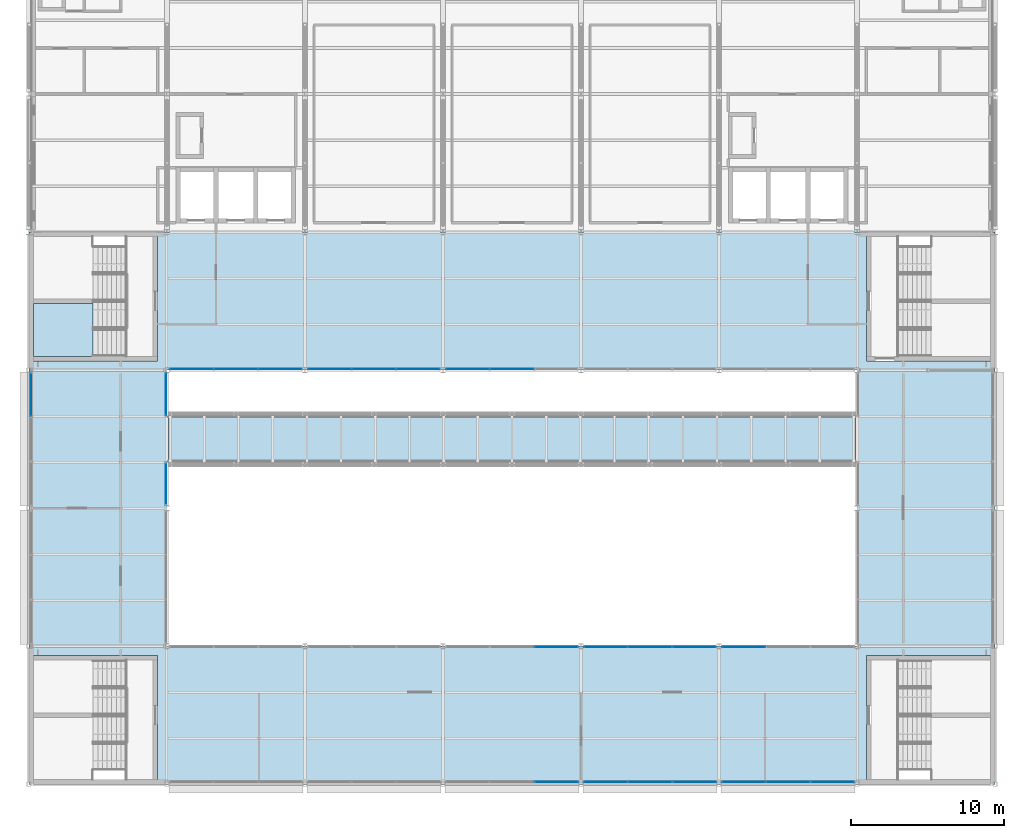
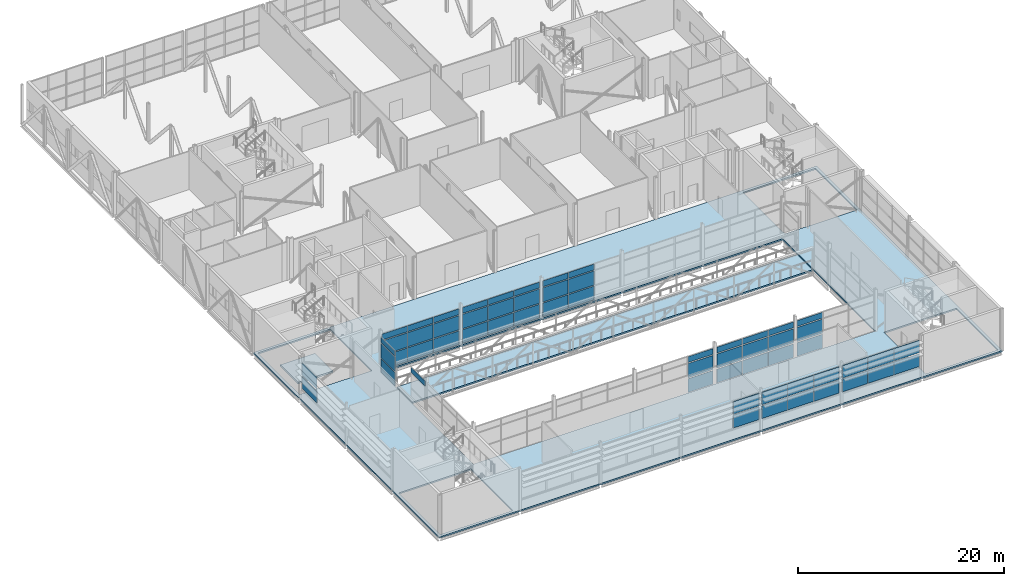
# One storey, part 72 of 94: 59 plates, 3 slabs, 13 elements without a shape of their own.
"""IFC4 building model written with IfcOpenShell, lengths in metres."""

from ifc_helpers import new_model, si_unit, direction, frame, origin, origin_2d, place, context, subcontext, project, spatial, polyline, rectangle, outline, extrude, material, layer, layer_set, type_object, element, aggregate, save


model = new_model("IFC4")

# Units and contexts
model_context = context("Model", 3, precision=1e-05, world=origin(), true_north=direction((0.0, 1.0)))
body_context = subcontext(model_context, "Body", "Model", "MODEL_VIEW")
ifc_project = project(units=[si_unit("LENGTHUNIT", "METRE"), si_unit("AREAUNIT", "SQUARE_METRE"), si_unit("VOLUMEUNIT", "CUBIC_METRE"), si_unit("PLANEANGLEUNIT", "RADIAN"), si_unit("MASSUNIT", "GRAM", prefix="KILO")], contexts=[model_context])

# Site, building, storey
site_placement = place(None, origin())
site = spatial("IfcSite", under=ifc_project, at=site_placement, CompositionType="ELEMENT")
building_placement = place(site_placement, origin())
building = spatial("IfcBuilding", under=site, at=building_placement, Name="Shorebreak Coast Museum", CompositionType="ELEMENT")
storey_placement = place(building_placement, frame((0.0, 0.0, 31.0)))
storey = spatial("IfcBuildingStorey", under=building, at=storey_placement, Name="L05", CompositionType="ELEMENT", Elevation=31.0)

# Slab
ifc_material_1 = material(Name="Concrete N40 (40 MPa)", Category="concrete")
ifc_layer_1 = layer(ifc_material_1, 0.175048828125)
ifc_layer_set_1 = layer_set([ifc_layer_1], Name="Concrete N40 (40 MPa)")
slab_type_1 = type_object("IfcSlabType", Name="Bridge deck 175 concrete N40", PredefinedType="USERDEFINED", material=ifc_layer_set_1)
slab_1_placement = place(storey_placement, frame((0.0, 0.0, -0.175048828125)))
element("IfcSlab", 1, at=slab_1_placement, inside=storey, type_object=slab_type_1, Name="Atrium bridge deck BR3", ObjectType="BRIDGE DECK", PredefinedType="USERDEFINED", context=body_context, shape_type="SweptSolid", body=[
    extrude(outline(polyline([(63.114501953125, 75.0), (107.885498046875, 75.0), (107.885498046875, 78.0), (63.114501953125, 78.0), (63.114501953125, 75.0)])), origin(), (0.0, 0.0, 1.0), 0.175048828125),
])

# Curtain wall, plates
ifc_material_2 = material(Name="Aluminium", Category="aluminium")
ifc_layer_2 = layer(ifc_material_2, 0.1201171875)
ifc_layer_set_2 = layer_set([ifc_layer_2], Name="Aluminium")
curtain_wall_type_1 = type_object("IfcCurtainWallType", Name="Atrium fire screen", PredefinedType="NOTDEFINED", material=ifc_layer_set_2)
curtain_wall_1_placement = place(storey_placement, origin())
curtain_wall_1 = element("IfcCurtainWall", 2, at=curtain_wall_1_placement, inside=storey, type_object=curtain_wall_type_1, Name="Atrium screen L05 S 65", PredefinedType="NOTDEFINED")
ifc_material_3 = material(Name="Glass", Category="glass")
ifc_layer_3 = layer(ifc_material_3, 0.034912109375)
ifc_layer_set_3 = layer_set([ifc_layer_3], Name="Glass")
plate_type_1 = type_object("IfcPlateType", Name="Fire-resisting glass panel 35", PredefinedType="CURTAIN_PANEL", material=ifc_layer_set_3)
plate_1_placement = place(storey_placement, frame((88.38525390625, 62.93994140625, 0.119873046875), z_axis=(0.0, 0.0, 1.0), x_axis=(1.0, 0.0, 0.0)))
plate_1 = element("IfcPlate", 3, at=plate_1_placement, type_object=plate_type_1, Name="CW6 panel 3.1", PredefinedType="CURTAIN_PANEL", context=body_context, shape_type="SweptSolid", body=[
    extrude(rectangle(XDim=2.82275390625, YDim=0.034912109375, at=origin_2d()), origin(), (0.0, 0.0, 1.0), 1.6201171875),
])
plate_2_placement = place(storey_placement, frame((88.38525390625, 62.93994140625, 1.85986328125), z_axis=(0.0, 0.0, 1.0), x_axis=(1.0, 0.0, 0.0)))
plate_2 = element("IfcPlate", 4, at=plate_2_placement, type_object=plate_type_1, Name="CW6 panel 3.2", PredefinedType="CURTAIN_PANEL", context=body_context, shape_type="SweptSolid", body=[
    extrude(rectangle(XDim=2.82275390625, YDim=0.034912109375, at=origin_2d()), origin(), (0.0, 0.0, 1.0), 1.679931640625),
])
plate_3_placement = place(storey_placement, frame((88.38525390625, 62.93994140625, 3.659912109375), z_axis=(0.0, 0.0, 1.0), x_axis=(1.0, 0.0, 0.0)))
plate_3 = element("IfcPlate", 5, at=plate_3_placement, type_object=plate_type_1, Name="CW6 panel 3.3", PredefinedType="CURTAIN_PANEL", context=body_context, shape_type="SweptSolid", body=[
    extrude(rectangle(XDim=2.82275390625, YDim=0.034912109375, at=origin_2d()), origin(), (0.0, 0.0, 1.0), 0.689453125),
])
aggregate(curtain_wall_1, [plate_1, plate_2, plate_3])

curtain_wall_2_placement = place(storey_placement, origin())
curtain_wall_2 = element("IfcCurtainWall", 6, at=curtain_wall_2_placement, inside=storey, type_object=curtain_wall_type_1, Name="Atrium screen L05 S 66", PredefinedType="NOTDEFINED")
plate_4_placement = place(storey_placement, frame((91.61474609375, 62.93994140625, 0.119873046875), z_axis=(0.0, 0.0, 1.0), x_axis=(1.0, 0.0, 0.0)))
plate_4 = element("IfcPlate", 7, at=plate_4_placement, type_object=plate_type_1, Name="CW4 panel 1.1", PredefinedType="CURTAIN_PANEL", context=body_context, shape_type="SweptSolid", body=[
    extrude(rectangle(XDim=2.82275390625, YDim=0.034912109375, at=origin_2d()), origin(), (0.0, 0.0, 1.0), 1.6201171875),
])
plate_5_placement = place(storey_placement, frame((91.61474609375, 62.93994140625, 1.85986328125), z_axis=(0.0, 0.0, 1.0), x_axis=(1.0, 0.0, 0.0)))
plate_5 = element("IfcPlate", 8, at=plate_5_placement, type_object=plate_type_1, Name="CW4 panel 1.2", PredefinedType="CURTAIN_PANEL", context=body_context, shape_type="SweptSolid", body=[
    extrude(rectangle(XDim=2.82275390625, YDim=0.034912109375, at=origin_2d()), origin(), (0.0, 0.0, 1.0), 1.679931640625),
])
plate_6_placement = place(storey_placement, frame((91.61474609375, 62.93994140625, 3.659912109375), z_axis=(0.0, 0.0, 1.0), x_axis=(1.0, 0.0, 0.0)))
plate_6 = element("IfcPlate", 9, at=plate_6_placement, type_object=plate_type_1, Name="CW4 panel 1.3", PredefinedType="CURTAIN_PANEL", context=body_context, shape_type="SweptSolid", body=[
    extrude(rectangle(XDim=2.82275390625, YDim=0.034912109375, at=origin_2d()), origin(), (0.0, 0.0, 1.0), 0.689453125),
])
plate_7_placement = place(storey_placement, frame((94.5, 62.93994140625, 0.119873046875), z_axis=(0.0, 0.0, 1.0), x_axis=(1.0, 0.0, 0.0)))
plate_7 = element("IfcPlate", 10, at=plate_7_placement, type_object=plate_type_1, Name="CW4 panel 2.1", PredefinedType="CURTAIN_PANEL", context=body_context, shape_type="SweptSolid", body=[
    extrude(rectangle(XDim=2.84765625, YDim=0.034912109375, at=origin_2d()), origin(), (0.0, 0.0, 1.0), 1.6201171875),
])
plate_8_placement = place(storey_placement, frame((94.5, 62.93994140625, 1.85986328125), z_axis=(0.0, 0.0, 1.0), x_axis=(1.0, 0.0, 0.0)))
plate_8 = element("IfcPlate", 11, at=plate_8_placement, type_object=plate_type_1, Name="CW4 panel 2.2", PredefinedType="CURTAIN_PANEL", context=body_context, shape_type="SweptSolid", body=[
    extrude(rectangle(XDim=2.84765625, YDim=0.034912109375, at=origin_2d()), origin(), (0.0, 0.0, 1.0), 1.679931640625),
])
plate_9_placement = place(storey_placement, frame((94.5, 62.93994140625, 3.659912109375), z_axis=(0.0, 0.0, 1.0), x_axis=(1.0, 0.0, 0.0)))
plate_9 = element("IfcPlate", 12, at=plate_9_placement, type_object=plate_type_1, Name="CW4 panel 2.3", PredefinedType="CURTAIN_PANEL", context=body_context, shape_type="SweptSolid", body=[
    extrude(rectangle(XDim=2.84765625, YDim=0.034912109375, at=origin_2d()), origin(), (0.0, 0.0, 1.0), 0.689453125),
])
plate_10_placement = place(storey_placement, frame((97.38525390625, 62.93994140625, 0.119873046875), z_axis=(0.0, 0.0, 1.0), x_axis=(1.0, 0.0, 0.0)))
plate_10 = element("IfcPlate", 13, at=plate_10_placement, type_object=plate_type_1, Name="CW4 panel 3.1", PredefinedType="CURTAIN_PANEL", context=body_context, shape_type="SweptSolid", body=[
    extrude(rectangle(XDim=2.82275390625, YDim=0.034912109375, at=origin_2d()), origin(), (0.0, 0.0, 1.0), 1.6201171875),
])
plate_11_placement = place(storey_placement, frame((97.38525390625, 62.93994140625, 1.85986328125), z_axis=(0.0, 0.0, 1.0), x_axis=(1.0, 0.0, 0.0)))
plate_11 = element("IfcPlate", 14, at=plate_11_placement, type_object=plate_type_1, Name="CW4 panel 3.2", PredefinedType="CURTAIN_PANEL", context=body_context, shape_type="SweptSolid", body=[
    extrude(rectangle(XDim=2.82275390625, YDim=0.034912109375, at=origin_2d()), origin(), (0.0, 0.0, 1.0), 1.679931640625),
])
plate_12_placement = place(storey_placement, frame((97.38525390625, 62.93994140625, 3.659912109375), z_axis=(0.0, 0.0, 1.0), x_axis=(1.0, 0.0, 0.0)))
plate_12 = element("IfcPlate", 15, at=plate_12_placement, type_object=plate_type_1, Name="CW4 panel 3.3", PredefinedType="CURTAIN_PANEL", context=body_context, shape_type="SweptSolid", body=[
    extrude(rectangle(XDim=2.82275390625, YDim=0.034912109375, at=origin_2d()), origin(), (0.0, 0.0, 1.0), 0.689453125),
])
aggregate(curtain_wall_2, [plate_4, plate_5, plate_6, plate_7, plate_8, plate_9, plate_10, plate_11, plate_12])

curtain_wall_3_placement = place(storey_placement, origin())
curtain_wall_3 = element("IfcCurtainWall", 16, at=curtain_wall_3_placement, inside=storey, type_object=curtain_wall_type_1, Name="Atrium screen L05 S 67", PredefinedType="NOTDEFINED")
plate_13_placement = place(storey_placement, frame((100.61474609375, 62.93994140625, 0.119873046875), z_axis=(0.0, 0.0, 1.0), x_axis=(1.0, 0.0, 0.0)))
plate_13 = element("IfcPlate", 17, at=plate_13_placement, type_object=plate_type_1, Name="CW5 panel 1.1", PredefinedType="CURTAIN_PANEL", context=body_context, shape_type="SweptSolid", body=[
    extrude(rectangle(XDim=2.82275390625, YDim=0.034912109375, at=origin_2d()), origin(), (0.0, 0.0, 1.0), 1.6201171875),
])
plate_14_placement = place(storey_placement, frame((100.61474609375, 62.93994140625, 1.85986328125), z_axis=(0.0, 0.0, 1.0), x_axis=(1.0, 0.0, 0.0)))
plate_14 = element("IfcPlate", 18, at=plate_14_placement, type_object=plate_type_1, Name="CW5 panel 1.2", PredefinedType="CURTAIN_PANEL", context=body_context, shape_type="SweptSolid", body=[
    extrude(rectangle(XDim=2.82275390625, YDim=0.034912109375, at=origin_2d()), origin(), (0.0, 0.0, 1.0), 1.679931640625),
])
plate_15_placement = place(storey_placement, frame((100.61474609375, 62.93994140625, 3.659912109375), z_axis=(0.0, 0.0, 1.0), x_axis=(1.0, 0.0, 0.0)))
plate_15 = element("IfcPlate", 19, at=plate_15_placement, type_object=plate_type_1, Name="CW5 panel 1.3", PredefinedType="CURTAIN_PANEL", context=body_context, shape_type="SweptSolid", body=[
    extrude(rectangle(XDim=2.82275390625, YDim=0.034912109375, at=origin_2d()), origin(), (0.0, 0.0, 1.0), 0.689453125),
])
aggregate(curtain_wall_3, [plate_13, plate_14, plate_15])

curtain_wall_4_placement = place(storey_placement, origin())
curtain_wall_4 = element("IfcCurtainWall", 20, at=curtain_wall_4_placement, inside=storey, type_object=curtain_wall_type_1, Name="Atrium screen L05 N 68", PredefinedType="NOTDEFINED")
plate_16_placement = place(storey_placement, frame((64.61474609375, 81.06005859375, 0.119873046875), z_axis=(0.0, 0.0, 1.0), x_axis=(1.0, 0.0, 0.0)))
plate_16 = element("IfcPlate", 21, at=plate_16_placement, type_object=plate_type_1, Name="CW6 panel 1.1", PredefinedType="CURTAIN_PANEL", context=body_context, shape_type="SweptSolid", body=[
    extrude(rectangle(XDim=2.82275390625, YDim=0.034912109375, at=origin_2d()), origin(), (0.0, 0.0, 1.0), 1.6201171875),
])
plate_17_placement = place(storey_placement, frame((64.61474609375, 81.06005859375, 1.85986328125), z_axis=(0.0, 0.0, 1.0), x_axis=(1.0, 0.0, 0.0)))
plate_17 = element("IfcPlate", 22, at=plate_17_placement, type_object=plate_type_1, Name="CW6 panel 1.2", PredefinedType="CURTAIN_PANEL", context=body_context, shape_type="SweptSolid", body=[
    extrude(rectangle(XDim=2.82275390625, YDim=0.034912109375, at=origin_2d()), origin(), (0.0, 0.0, 1.0), 1.679931640625),
])
plate_18_placement = place(storey_placement, frame((64.61474609375, 81.06005859375, 3.659912109375), z_axis=(0.0, 0.0, 1.0), x_axis=(1.0, 0.0, 0.0)))
plate_18 = element("IfcPlate", 23, at=plate_18_placement, type_object=plate_type_1, Name="CW6 panel 1.3", PredefinedType="CURTAIN_PANEL", context=body_context, shape_type="SweptSolid", body=[
    extrude(rectangle(XDim=2.82275390625, YDim=0.034912109375, at=origin_2d()), origin(), (0.0, 0.0, 1.0), 0.689453125),
])
plate_19_placement = place(storey_placement, frame((67.5, 81.06005859375, 0.119873046875), z_axis=(0.0, 0.0, 1.0), x_axis=(1.0, 0.0, 0.0)))
plate_19 = element("IfcPlate", 24, at=plate_19_placement, type_object=plate_type_1, Name="CW6 panel 2.1", PredefinedType="CURTAIN_PANEL", context=body_context, shape_type="SweptSolid", body=[
    extrude(rectangle(XDim=2.84765625, YDim=0.034912109375, at=origin_2d()), origin(), (0.0, 0.0, 1.0), 1.6201171875),
])
plate_20_placement = place(storey_placement, frame((67.5, 81.06005859375, 1.85986328125), z_axis=(0.0, 0.0, 1.0), x_axis=(1.0, 0.0, 0.0)))
plate_20 = element("IfcPlate", 25, at=plate_20_placement, type_object=plate_type_1, Name="CW6 panel 2.2", PredefinedType="CURTAIN_PANEL", context=body_context, shape_type="SweptSolid", body=[
    extrude(rectangle(XDim=2.84765625, YDim=0.034912109375, at=origin_2d()), origin(), (0.0, 0.0, 1.0), 1.679931640625),
])
plate_21_placement = place(storey_placement, frame((67.5, 81.06005859375, 3.659912109375), z_axis=(0.0, 0.0, 1.0), x_axis=(1.0, 0.0, 0.0)))
plate_21 = element("IfcPlate", 26, at=plate_21_placement, type_object=plate_type_1, Name="CW6 panel 2.3", PredefinedType="CURTAIN_PANEL", context=body_context, shape_type="SweptSolid", body=[
    extrude(rectangle(XDim=2.84765625, YDim=0.034912109375, at=origin_2d()), origin(), (0.0, 0.0, 1.0), 0.689453125),
])
plate_22_placement = place(storey_placement, frame((70.38525390625, 81.06005859375, 0.119873046875), z_axis=(0.0, 0.0, 1.0), x_axis=(1.0, 0.0, 0.0)))
plate_22 = element("IfcPlate", 27, at=plate_22_placement, type_object=plate_type_1, Name="CW6 panel 3.1", PredefinedType="CURTAIN_PANEL", context=body_context, shape_type="SweptSolid", body=[
    extrude(rectangle(XDim=2.82275390625, YDim=0.034912109375, at=origin_2d()), origin(), (0.0, 0.0, 1.0), 1.6201171875),
])
plate_23_placement = place(storey_placement, frame((70.38525390625, 81.06005859375, 1.85986328125), z_axis=(0.0, 0.0, 1.0), x_axis=(1.0, 0.0, 0.0)))
plate_23 = element("IfcPlate", 28, at=plate_23_placement, type_object=plate_type_1, Name="CW6 panel 3.2", PredefinedType="CURTAIN_PANEL", context=body_context, shape_type="SweptSolid", body=[
    extrude(rectangle(XDim=2.82275390625, YDim=0.034912109375, at=origin_2d()), origin(), (0.0, 0.0, 1.0), 1.679931640625),
])
plate_24_placement = place(storey_placement, frame((70.38525390625, 81.06005859375, 3.659912109375), z_axis=(0.0, 0.0, 1.0), x_axis=(1.0, 0.0, 0.0)))
plate_24 = element("IfcPlate", 29, at=plate_24_placement, type_object=plate_type_1, Name="CW6 panel 3.3", PredefinedType="CURTAIN_PANEL", context=body_context, shape_type="SweptSolid", body=[
    extrude(rectangle(XDim=2.82275390625, YDim=0.034912109375, at=origin_2d()), origin(), (0.0, 0.0, 1.0), 0.689453125),
])
aggregate(curtain_wall_4, [plate_16, plate_17, plate_18, plate_19, plate_20, plate_21, plate_22, plate_23, plate_24])

curtain_wall_5_placement = place(storey_placement, origin())
curtain_wall_5 = element("IfcCurtainWall", 30, at=curtain_wall_5_placement, inside=storey, type_object=curtain_wall_type_1, Name="Atrium screen L05 N 69", PredefinedType="NOTDEFINED")
plate_25_placement = place(storey_placement, frame((73.61474609375, 81.06005859375, 0.119873046875), z_axis=(0.0, 0.0, 1.0), x_axis=(1.0, 0.0, 0.0)))
plate_25 = element("IfcPlate", 31, at=plate_25_placement, type_object=plate_type_1, Name="CW4 panel 1.1", PredefinedType="CURTAIN_PANEL", context=body_context, shape_type="SweptSolid", body=[
    extrude(rectangle(XDim=2.82275390625, YDim=0.034912109375, at=origin_2d()), origin(), (0.0, 0.0, 1.0), 1.6201171875),
])
plate_26_placement = place(storey_placement, frame((73.61474609375, 81.06005859375, 1.85986328125), z_axis=(0.0, 0.0, 1.0), x_axis=(1.0, 0.0, 0.0)))
plate_26 = element("IfcPlate", 32, at=plate_26_placement, type_object=plate_type_1, Name="CW4 panel 1.2", PredefinedType="CURTAIN_PANEL", context=body_context, shape_type="SweptSolid", body=[
    extrude(rectangle(XDim=2.82275390625, YDim=0.034912109375, at=origin_2d()), origin(), (0.0, 0.0, 1.0), 1.679931640625),
])
plate_27_placement = place(storey_placement, frame((73.61474609375, 81.06005859375, 3.659912109375), z_axis=(0.0, 0.0, 1.0), x_axis=(1.0, 0.0, 0.0)))
plate_27 = element("IfcPlate", 33, at=plate_27_placement, type_object=plate_type_1, Name="CW4 panel 1.3", PredefinedType="CURTAIN_PANEL", context=body_context, shape_type="SweptSolid", body=[
    extrude(rectangle(XDim=2.82275390625, YDim=0.034912109375, at=origin_2d()), origin(), (0.0, 0.0, 1.0), 0.689453125),
])
plate_28_placement = place(storey_placement, frame((76.5, 81.06005859375, 0.119873046875), z_axis=(0.0, 0.0, 1.0), x_axis=(1.0, 0.0, 0.0)))
plate_28 = element("IfcPlate", 34, at=plate_28_placement, type_object=plate_type_1, Name="CW4 panel 2.1", PredefinedType="CURTAIN_PANEL", context=body_context, shape_type="SweptSolid", body=[
    extrude(rectangle(XDim=2.84765625, YDim=0.034912109375, at=origin_2d()), origin(), (0.0, 0.0, 1.0), 1.6201171875),
])
plate_29_placement = place(storey_placement, frame((76.5, 81.06005859375, 1.85986328125), z_axis=(0.0, 0.0, 1.0), x_axis=(1.0, 0.0, 0.0)))
plate_29 = element("IfcPlate", 35, at=plate_29_placement, type_object=plate_type_1, Name="CW4 panel 2.2", PredefinedType="CURTAIN_PANEL", context=body_context, shape_type="SweptSolid", body=[
    extrude(rectangle(XDim=2.84765625, YDim=0.034912109375, at=origin_2d()), origin(), (0.0, 0.0, 1.0), 1.679931640625),
])
plate_30_placement = place(storey_placement, frame((76.5, 81.06005859375, 3.659912109375), z_axis=(0.0, 0.0, 1.0), x_axis=(1.0, 0.0, 0.0)))
plate_30 = element("IfcPlate", 36, at=plate_30_placement, type_object=plate_type_1, Name="CW4 panel 2.3", PredefinedType="CURTAIN_PANEL", context=body_context, shape_type="SweptSolid", body=[
    extrude(rectangle(XDim=2.84765625, YDim=0.034912109375, at=origin_2d()), origin(), (0.0, 0.0, 1.0), 0.689453125),
])
plate_31_placement = place(storey_placement, frame((79.38525390625, 81.06005859375, 0.119873046875), z_axis=(0.0, 0.0, 1.0), x_axis=(1.0, 0.0, 0.0)))
plate_31 = element("IfcPlate", 37, at=plate_31_placement, type_object=plate_type_1, Name="CW4 panel 3.1", PredefinedType="CURTAIN_PANEL", context=body_context, shape_type="SweptSolid", body=[
    extrude(rectangle(XDim=2.82275390625, YDim=0.034912109375, at=origin_2d()), origin(), (0.0, 0.0, 1.0), 1.6201171875),
])
plate_32_placement = place(storey_placement, frame((79.38525390625, 81.06005859375, 1.85986328125), z_axis=(0.0, 0.0, 1.0), x_axis=(1.0, 0.0, 0.0)))
plate_32 = element("IfcPlate", 38, at=plate_32_placement, type_object=plate_type_1, Name="CW4 panel 3.2", PredefinedType="CURTAIN_PANEL", context=body_context, shape_type="SweptSolid", body=[
    extrude(rectangle(XDim=2.82275390625, YDim=0.034912109375, at=origin_2d()), origin(), (0.0, 0.0, 1.0), 1.679931640625),
])
plate_33_placement = place(storey_placement, frame((79.38525390625, 81.06005859375, 3.659912109375), z_axis=(0.0, 0.0, 1.0), x_axis=(1.0, 0.0, 0.0)))
plate_33 = element("IfcPlate", 39, at=plate_33_placement, type_object=plate_type_1, Name="CW4 panel 3.3", PredefinedType="CURTAIN_PANEL", context=body_context, shape_type="SweptSolid", body=[
    extrude(rectangle(XDim=2.82275390625, YDim=0.034912109375, at=origin_2d()), origin(), (0.0, 0.0, 1.0), 0.689453125),
])
aggregate(curtain_wall_5, [plate_25, plate_26, plate_27, plate_28, plate_29, plate_30, plate_31, plate_32, plate_33])

curtain_wall_6_placement = place(storey_placement, origin())
curtain_wall_6 = element("IfcCurtainWall", 40, at=curtain_wall_6_placement, inside=storey, type_object=curtain_wall_type_1, Name="Atrium screen L05 N 70", PredefinedType="NOTDEFINED")
plate_34_placement = place(storey_placement, frame((82.61474609375, 81.06005859375, 0.119873046875), z_axis=(0.0, 0.0, 1.0), x_axis=(1.0, 0.0, 0.0)))
plate_34 = element("IfcPlate", 41, at=plate_34_placement, type_object=plate_type_1, Name="CW5 panel 1.1", PredefinedType="CURTAIN_PANEL", context=body_context, shape_type="SweptSolid", body=[
    extrude(rectangle(XDim=2.82275390625, YDim=0.034912109375, at=origin_2d()), origin(), (0.0, 0.0, 1.0), 1.6201171875),
])
plate_35_placement = place(storey_placement, frame((82.61474609375, 81.06005859375, 1.85986328125), z_axis=(0.0, 0.0, 1.0), x_axis=(1.0, 0.0, 0.0)))
plate_35 = element("IfcPlate", 42, at=plate_35_placement, type_object=plate_type_1, Name="CW5 panel 1.2", PredefinedType="CURTAIN_PANEL", context=body_context, shape_type="SweptSolid", body=[
    extrude(rectangle(XDim=2.82275390625, YDim=0.034912109375, at=origin_2d()), origin(), (0.0, 0.0, 1.0), 1.679931640625),
])
plate_36_placement = place(storey_placement, frame((82.61474609375, 81.06005859375, 3.659912109375), z_axis=(0.0, 0.0, 1.0), x_axis=(1.0, 0.0, 0.0)))
plate_36 = element("IfcPlate", 43, at=plate_36_placement, type_object=plate_type_1, Name="CW5 panel 1.3", PredefinedType="CURTAIN_PANEL", context=body_context, shape_type="SweptSolid", body=[
    extrude(rectangle(XDim=2.82275390625, YDim=0.034912109375, at=origin_2d()), origin(), (0.0, 0.0, 1.0), 0.689453125),
])
plate_37_placement = place(storey_placement, frame((85.5, 81.06005859375, 0.119873046875), z_axis=(0.0, 0.0, 1.0), x_axis=(1.0, 0.0, 0.0)))
plate_37 = element("IfcPlate", 44, at=plate_37_placement, type_object=plate_type_1, Name="CW5 panel 2.1", PredefinedType="CURTAIN_PANEL", context=body_context, shape_type="SweptSolid", body=[
    extrude(rectangle(XDim=2.84765625, YDim=0.034912109375, at=origin_2d()), origin(), (0.0, 0.0, 1.0), 1.6201171875),
])
plate_38_placement = place(storey_placement, frame((85.5, 81.06005859375, 1.85986328125), z_axis=(0.0, 0.0, 1.0), x_axis=(1.0, 0.0, 0.0)))
plate_38 = element("IfcPlate", 45, at=plate_38_placement, type_object=plate_type_1, Name="CW5 panel 2.2", PredefinedType="CURTAIN_PANEL", context=body_context, shape_type="SweptSolid", body=[
    extrude(rectangle(XDim=2.84765625, YDim=0.034912109375, at=origin_2d()), origin(), (0.0, 0.0, 1.0), 1.679931640625),
])
plate_39_placement = place(storey_placement, frame((85.5, 81.06005859375, 3.659912109375), z_axis=(0.0, 0.0, 1.0), x_axis=(1.0, 0.0, 0.0)))
plate_39 = element("IfcPlate", 46, at=plate_39_placement, type_object=plate_type_1, Name="CW5 panel 2.3", PredefinedType="CURTAIN_PANEL", context=body_context, shape_type="SweptSolid", body=[
    extrude(rectangle(XDim=2.84765625, YDim=0.034912109375, at=origin_2d()), origin(), (0.0, 0.0, 1.0), 0.689453125),
])
aggregate(curtain_wall_6, [plate_34, plate_35, plate_36, plate_37, plate_38, plate_39])

# Curtain wall, plate
curtain_wall_7_placement = place(storey_placement, origin())
curtain_wall_7 = element("IfcCurtainWall", 47, at=curtain_wall_7_placement, inside=storey, type_object=curtain_wall_type_1, Name="Atrium screen L05 W 74", PredefinedType="NOTDEFINED")
plate_40_placement = place(storey_placement, frame((62.93994140625, 73.581787109375, 3.66015625), z_axis=(0.0, 0.0, 1.0), x_axis=(0.0, 1.0, 0.0)))
plate_40 = element("IfcPlate", 48, at=plate_40_placement, type_object=plate_type_1, Name="CW6 panel 1.3", PredefinedType="CURTAIN_PANEL", context=body_context, shape_type="SweptSolid", body=[
    extrude(rectangle(XDim=2.736328125, YDim=0.034912109375, at=origin_2d()), origin(), (0.0, 0.0, 1.0), 0.584716796875),
])
aggregate(curtain_wall_7, [plate_40])

# Curtain wall, plates
curtain_wall_8_placement = place(storey_placement, origin())
curtain_wall_8 = element("IfcCurtainWall", 49, at=curtain_wall_8_placement, inside=storey, type_object=curtain_wall_type_1, Name="Atrium screen L05 W 75", PredefinedType="NOTDEFINED")
plate_41_placement = place(storey_placement, frame((62.93994140625, 79.42138671875, 0.119873046875), z_axis=(0.0, 0.0, 1.0), x_axis=(0.0, 1.0, 0.0)))
plate_41 = element("IfcPlate", 50, at=plate_41_placement, type_object=plate_type_1, Name="CW4 panel 1.1", PredefinedType="CURTAIN_PANEL", context=body_context, shape_type="SweptSolid", body=[
    extrude(rectangle(XDim=2.74267578125, YDim=0.034912109375, at=origin_2d()), origin(), (0.0, 0.0, 1.0), 1.6201171875),
])
plate_42_placement = place(storey_placement, frame((62.93994140625, 79.42138671875, 1.85986328125), z_axis=(0.0, 0.0, 1.0), x_axis=(0.0, 1.0, 0.0)))
plate_42 = element("IfcPlate", 51, at=plate_42_placement, type_object=plate_type_1, Name="CW4 panel 1.2", PredefinedType="CURTAIN_PANEL", context=body_context, shape_type="SweptSolid", body=[
    extrude(rectangle(XDim=2.74267578125, YDim=0.034912109375, at=origin_2d()), origin(), (0.0, 0.0, 1.0), 1.679931640625),
])
plate_43_placement = place(storey_placement, frame((62.93994140625, 79.42138671875, 3.66015625), z_axis=(0.0, 0.0, 1.0), x_axis=(0.0, 1.0, 0.0)))
plate_43 = element("IfcPlate", 52, at=plate_43_placement, type_object=plate_type_1, Name="CW4 panel 1.3", PredefinedType="CURTAIN_PANEL", context=body_context, shape_type="SweptSolid", body=[
    extrude(rectangle(XDim=2.74267578125, YDim=0.034912109375, at=origin_2d()), origin(), (0.0, 0.0, 1.0), 0.584716796875),
])
aggregate(curtain_wall_8, [plate_41, plate_42, plate_43])

# Slab
ifc_material_4 = material(Name="Concrete N40 (40 MPa)", Category="concrete")
ifc_layer_4 = layer(ifc_material_4, 0.175048828125)
ifc_layer_set_4 = layer_set([ifc_layer_4], Name="Concrete N40 (40 MPa)")
slab_type_2 = type_object("IfcSlabType", Name="Floor slab 175 concrete N40", PredefinedType="FLOOR", material=ifc_layer_set_4)
slab_2_placement = place(storey_placement, frame((0.0, 0.0, -0.175048828125)))
element("IfcSlab", 53, at=slab_2_placement, inside=storey, type_object=slab_type_2, Name="Floor slab L05 crossing", PredefinedType="FLOOR", context=body_context, shape_type="SweptSolid", body=[
    extrude(outline(polyline([(54.0, 54.0), (117.0, 54.0), (117.0, 90.0), (54.0, 90.0), (54.0, 54.0)]), holes=[polyline([(108.0, 81.0), (108.0, 63.0), (63.0, 63.0), (63.0, 81.0), (108.0, 81.0)]), polyline([(62.39990234375, 54.300048828125), (54.300048828125, 54.300048828125), (54.300048828125, 62.39990234375), (62.39990234375, 62.39990234375), (62.39990234375, 54.300048828125)]), polyline([(108.60009765625, 54.300048828125), (108.60009765625, 62.39990234375), (116.699951171875, 62.39990234375), (116.699951171875, 54.300048828125), (108.60009765625, 54.300048828125)]), polyline([(54.300048828125, 89.699951171875), (62.39990234375, 89.699951171875), (62.39990234375, 81.60009765625), (54.300048828125, 81.60009765625), (54.300048828125, 89.699951171875)]), polyline([(116.699951171875, 89.699951171875), (116.699951171875, 81.60009765625), (108.60009765625, 81.60009765625), (108.60009765625, 89.699951171875), (116.699951171875, 89.699951171875)])]), origin(), (0.0, 0.0, 1.0), 0.175048828125),
])

# Stair, slab
ifc_material_5 = material(Name="Concrete N40 (40 MPa)", Category="concrete")
stair_type = type_object("IfcStairType", Name="Stair run 5 m", PredefinedType="DOUBLE_RETURN_STAIR", material=ifc_material_5)
stair_placement = place(storey_placement, origin())
stair = element("IfcStair", 54, at=stair_placement, inside=storey, type_object=stair_type, Name="Exit stair ST03-L05", PredefinedType="DOUBLE_RETURN_STAIR")
ifc_material_6 = material(Name="Concrete N40 (40 MPa)", Category="concrete")
ifc_layer_5 = layer(ifc_material_6, 0.199951171875)
ifc_layer_set_5 = layer_set([ifc_layer_5], Name="Concrete N40 (40 MPa)")
slab_type_3 = type_object("IfcSlabType", Name="Stair landing 200", PredefinedType="LANDING", material=ifc_layer_set_5)
slab_3_placement = place(storey_placement, frame((0.0, 0.0, 1.050048828125)))
slab_3 = element("IfcSlab", 55, at=slab_3_placement, type_object=slab_type_3, Name="ST03-L05 landing 3", PredefinedType="LANDING", context=body_context, shape_type="SweptSolid", body=[
    extrude(outline(polyline([(54.300048828125, 81.89990234375), (58.199951171875, 81.89990234375), (58.199951171875, 85.35009765625), (54.300048828125, 85.35009765625), (54.300048828125, 81.89990234375)])), origin(), (0.0, 0.0, 1.0), 0.199951171875),
])
aggregate(stair, [slab_3])

# Curtain wall, plates
ifc_material_7 = material(Name="Aluminium", Category="aluminium")
ifc_layer_6 = layer(ifc_material_7, 0.14990234375)
ifc_layer_set_6 = layer_set([ifc_layer_6], Name="Aluminium")
curtain_wall_type_2 = type_object("IfcCurtainWallType", Name="Storefront curtain wall", PredefinedType="NOTDEFINED", material=ifc_layer_set_6)
curtain_wall_9_placement = place(storey_placement, origin())
curtain_wall_9 = element("IfcCurtainWall", 56, at=curtain_wall_9_placement, inside=storey, type_object=curtain_wall_type_2, Name="Atrium Hall glazing L05 S 15", PredefinedType="NOTDEFINED")
ifc_material_8 = material(Name="Glass", Category="glass")
ifc_layer_7 = layer(ifc_material_8, 0.031982421875)
ifc_layer_set_7 = layer_set([ifc_layer_7], Name="Glass")
plate_type_2 = type_object("IfcPlateType", Name="Storefront glass panel 32", PredefinedType="CURTAIN_PANEL", material=ifc_layer_set_7)
plate_44_placement = place(storey_placement, frame((88.404052734375, 54.14990234375, 1.25), z_axis=(0.0, 0.0, 1.0), x_axis=(1.0, 0.0, 0.0)))
plate_44 = element("IfcPlate", 57, at=plate_44_placement, type_object=plate_type_2, Name="CW5 panel 3.1", PredefinedType="CURTAIN_PANEL", context=body_context, shape_type="SweptSolid", body=[
    extrude(rectangle(XDim=2.841552734375, YDim=0.031982421875, at=origin_2d()), origin(), (0.0, 0.0, 1.0), 1.48388671875),
])
plate_45_placement = place(storey_placement, frame((88.404052734375, 54.14990234375, 2.8837890625), z_axis=(0.0, 0.0, 1.0), x_axis=(1.0, 0.0, 0.0)))
plate_45 = element("IfcPlate", 58, at=plate_45_placement, type_object=plate_type_2, Name="CW5 panel 3.2", PredefinedType="CURTAIN_PANEL", context=body_context, shape_type="SweptSolid", body=[
    extrude(rectangle(XDim=2.841552734375, YDim=0.031982421875, at=origin_2d()), origin(), (0.0, 0.0, 1.0), 1.48388671875),
])
aggregate(curtain_wall_9, [plate_44, plate_45])

curtain_wall_10_placement = place(storey_placement, origin())
curtain_wall_10 = element("IfcCurtainWall", 59, at=curtain_wall_10_placement, inside=storey, type_object=curtain_wall_type_2, Name="Atrium Hall glazing L05 S 16", PredefinedType="NOTDEFINED")
plate_46_placement = place(storey_placement, frame((91.595947265625, 54.14990234375, 1.25), z_axis=(0.0, 0.0, 1.0), x_axis=(1.0, 0.0, 0.0)))
plate_46 = element("IfcPlate", 60, at=plate_46_placement, type_object=plate_type_2, Name="CW5 panel 1.1", PredefinedType="CURTAIN_PANEL", context=body_context, shape_type="SweptSolid", body=[
    extrude(rectangle(XDim=2.841552734375, YDim=0.031982421875, at=origin_2d()), origin(), (0.0, 0.0, 1.0), 1.48388671875),
])
plate_47_placement = place(storey_placement, frame((91.595947265625, 54.14990234375, 2.8837890625), z_axis=(0.0, 0.0, 1.0), x_axis=(1.0, 0.0, 0.0)))
plate_47 = element("IfcPlate", 61, at=plate_47_placement, type_object=plate_type_2, Name="CW5 panel 1.2", PredefinedType="CURTAIN_PANEL", context=body_context, shape_type="SweptSolid", body=[
    extrude(rectangle(XDim=2.841552734375, YDim=0.031982421875, at=origin_2d()), origin(), (0.0, 0.0, 1.0), 1.48388671875),
])
plate_48_placement = place(storey_placement, frame((94.5, 54.14990234375, 1.25), z_axis=(0.0, 0.0, 1.0), x_axis=(1.0, 0.0, 0.0)))
plate_48 = element("IfcPlate", 62, at=plate_48_placement, type_object=plate_type_2, Name="CW5 panel 2.1", PredefinedType="CURTAIN_PANEL", context=body_context, shape_type="SweptSolid", body=[
    extrude(rectangle(XDim=2.86669921875, YDim=0.031982421875, at=origin_2d()), origin(), (0.0, 0.0, 1.0), 1.48388671875),
])
plate_49_placement = place(storey_placement, frame((94.5, 54.14990234375, 2.8837890625), z_axis=(0.0, 0.0, 1.0), x_axis=(1.0, 0.0, 0.0)))
plate_49 = element("IfcPlate", 63, at=plate_49_placement, type_object=plate_type_2, Name="CW5 panel 2.2", PredefinedType="CURTAIN_PANEL", context=body_context, shape_type="SweptSolid", body=[
    extrude(rectangle(XDim=2.86669921875, YDim=0.031982421875, at=origin_2d()), origin(), (0.0, 0.0, 1.0), 1.48388671875),
])
plate_50_placement = place(storey_placement, frame((97.404052734375, 54.14990234375, 1.25), z_axis=(0.0, 0.0, 1.0), x_axis=(1.0, 0.0, 0.0)))
plate_50 = element("IfcPlate", 64, at=plate_50_placement, type_object=plate_type_2, Name="CW5 panel 3.1", PredefinedType="CURTAIN_PANEL", context=body_context, shape_type="SweptSolid", body=[
    extrude(rectangle(XDim=2.841552734375, YDim=0.031982421875, at=origin_2d()), origin(), (0.0, 0.0, 1.0), 1.48388671875),
])
plate_51_placement = place(storey_placement, frame((97.404052734375, 54.14990234375, 2.8837890625), z_axis=(0.0, 0.0, 1.0), x_axis=(1.0, 0.0, 0.0)))
plate_51 = element("IfcPlate", 65, at=plate_51_placement, type_object=plate_type_2, Name="CW5 panel 3.2", PredefinedType="CURTAIN_PANEL", context=body_context, shape_type="SweptSolid", body=[
    extrude(rectangle(XDim=2.841552734375, YDim=0.031982421875, at=origin_2d()), origin(), (0.0, 0.0, 1.0), 1.48388671875),
])
aggregate(curtain_wall_10, [plate_46, plate_47, plate_48, plate_49, plate_50, plate_51])

curtain_wall_11_placement = place(storey_placement, origin())
curtain_wall_11 = element("IfcCurtainWall", 66, at=curtain_wall_11_placement, inside=storey, type_object=curtain_wall_type_2, Name="Atrium Hall glazing L05 S 17", PredefinedType="NOTDEFINED")
plate_52_placement = place(storey_placement, frame((100.595947265625, 54.14990234375, 1.25), z_axis=(0.0, 0.0, 1.0), x_axis=(1.0, 0.0, 0.0)))
plate_52 = element("IfcPlate", 67, at=plate_52_placement, type_object=plate_type_2, Name="CW5 panel 1.1", PredefinedType="CURTAIN_PANEL", context=body_context, shape_type="SweptSolid", body=[
    extrude(rectangle(XDim=2.841552734375, YDim=0.031982421875, at=origin_2d()), origin(), (0.0, 0.0, 1.0), 1.48388671875),
])
plate_53_placement = place(storey_placement, frame((100.595947265625, 54.14990234375, 2.8837890625), z_axis=(0.0, 0.0, 1.0), x_axis=(1.0, 0.0, 0.0)))
plate_53 = element("IfcPlate", 68, at=plate_53_placement, type_object=plate_type_2, Name="CW5 panel 1.2", PredefinedType="CURTAIN_PANEL", context=body_context, shape_type="SweptSolid", body=[
    extrude(rectangle(XDim=2.841552734375, YDim=0.031982421875, at=origin_2d()), origin(), (0.0, 0.0, 1.0), 1.48388671875),
])
plate_54_placement = place(storey_placement, frame((103.5, 54.14990234375, 1.25), z_axis=(0.0, 0.0, 1.0), x_axis=(1.0, 0.0, 0.0)))
plate_54 = element("IfcPlate", 69, at=plate_54_placement, type_object=plate_type_2, Name="CW5 panel 2.1", PredefinedType="CURTAIN_PANEL", context=body_context, shape_type="SweptSolid", body=[
    extrude(rectangle(XDim=2.86669921875, YDim=0.031982421875, at=origin_2d()), origin(), (0.0, 0.0, 1.0), 1.48388671875),
])
plate_55_placement = place(storey_placement, frame((103.5, 54.14990234375, 2.8837890625), z_axis=(0.0, 0.0, 1.0), x_axis=(1.0, 0.0, 0.0)))
plate_55 = element("IfcPlate", 70, at=plate_55_placement, type_object=plate_type_2, Name="CW5 panel 2.2", PredefinedType="CURTAIN_PANEL", context=body_context, shape_type="SweptSolid", body=[
    extrude(rectangle(XDim=2.86669921875, YDim=0.031982421875, at=origin_2d()), origin(), (0.0, 0.0, 1.0), 1.48388671875),
])
plate_56_placement = place(storey_placement, frame((106.404052734375, 54.14990234375, 1.25), z_axis=(0.0, 0.0, 1.0), x_axis=(1.0, 0.0, 0.0)))
plate_56 = element("IfcPlate", 71, at=plate_56_placement, type_object=plate_type_2, Name="CW5 panel 3.1", PredefinedType="CURTAIN_PANEL", context=body_context, shape_type="SweptSolid", body=[
    extrude(rectangle(XDim=2.841552734375, YDim=0.031982421875, at=origin_2d()), origin(), (0.0, 0.0, 1.0), 1.48388671875),
])
plate_57_placement = place(storey_placement, frame((106.404052734375, 54.14990234375, 2.8837890625), z_axis=(0.0, 0.0, 1.0), x_axis=(1.0, 0.0, 0.0)))
plate_57 = element("IfcPlate", 72, at=plate_57_placement, type_object=plate_type_2, Name="CW5 panel 3.2", PredefinedType="CURTAIN_PANEL", context=body_context, shape_type="SweptSolid", body=[
    extrude(rectangle(XDim=2.841552734375, YDim=0.031982421875, at=origin_2d()), origin(), (0.0, 0.0, 1.0), 1.48388671875),
])
aggregate(curtain_wall_11, [plate_52, plate_53, plate_54, plate_55, plate_56, plate_57])

curtain_wall_12_placement = place(storey_placement, origin())
curtain_wall_12 = element("IfcCurtainWall", 73, at=curtain_wall_12_placement, inside=storey, type_object=curtain_wall_type_2, Name="Atrium Hall glazing L05 W 19", PredefinedType="NOTDEFINED")
plate_58_placement = place(storey_placement, frame((54.14990234375, 79.404052734375, 1.25), z_axis=(0.0, 0.0, 1.0), x_axis=(0.0, 1.0, 0.0)))
plate_58 = element("IfcPlate", 74, at=plate_58_placement, type_object=plate_type_2, Name="CW5 panel 3.1", PredefinedType="CURTAIN_PANEL", context=body_context, shape_type="SweptSolid", body=[
    extrude(rectangle(XDim=2.841552734375, YDim=0.031982421875, at=origin_2d()), origin(), (0.0, 0.0, 1.0), 1.434326171875),
])
plate_59_placement = place(storey_placement, frame((54.14990234375, 79.404052734375, 2.83447265625), z_axis=(0.0, 0.0, 1.0), x_axis=(0.0, 1.0, 0.0)))
plate_59 = element("IfcPlate", 75, at=plate_59_placement, type_object=plate_type_2, Name="CW5 panel 3.2", PredefinedType="CURTAIN_PANEL", context=body_context, shape_type="SweptSolid", body=[
    extrude(rectangle(XDim=2.841552734375, YDim=0.031982421875, at=origin_2d()), origin(), (0.0, 0.0, 1.0), 1.434326171875),
])
aggregate(curtain_wall_12, [plate_58, plate_59])

save(model, "model.ifc")
